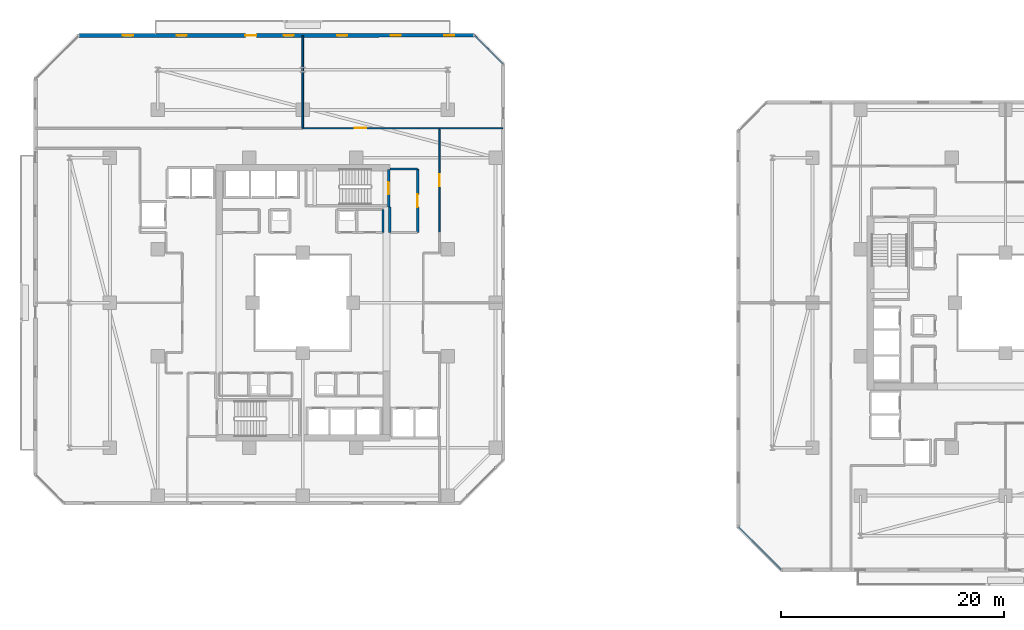
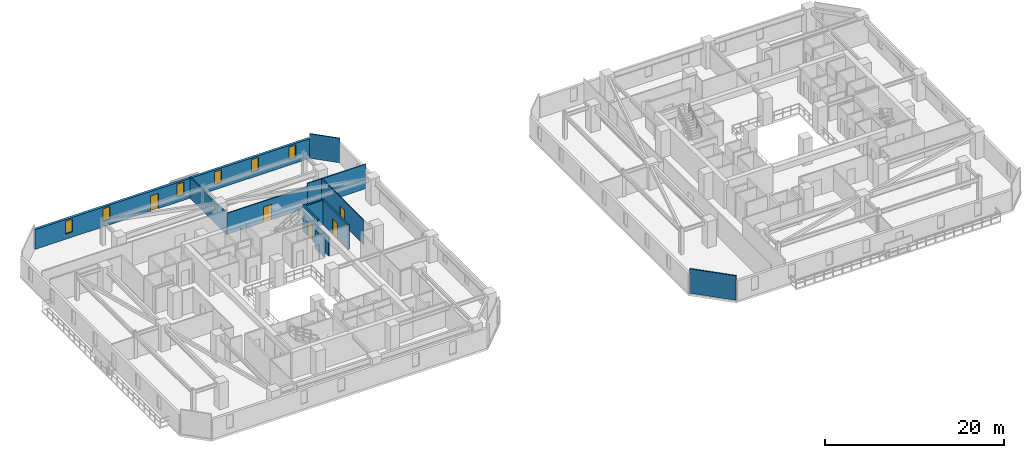
# One storey, part 22 of 33: 13 walls, 6 windows, 5 doors, 11 openings.
"""IFC4 building model written with IfcOpenShell, lengths in metres."""

from ifc_helpers import new_model, si_unit, direction, frame, frame_2d, origin, place, context, subcontext, project, spatial, rectangle, extrude, material, layer, layer_set, type_object, element, fill, save


model = new_model("IFC4")

# Units and contexts
model_context = context("Model", 3, precision=1e-05, world=origin(), true_north=direction((0.0, 1.0)))
body_context = subcontext(model_context, "Body", "Model", "MODEL_VIEW")
ifc_project = project(units=[si_unit("LENGTHUNIT", "METRE"), si_unit("AREAUNIT", "SQUARE_METRE"), si_unit("VOLUMEUNIT", "CUBIC_METRE"), si_unit("PLANEANGLEUNIT", "RADIAN"), si_unit("MASSUNIT", "GRAM", prefix="KILO")], contexts=[model_context])

# Site, building, storey
site_placement = place(None, origin())
site = spatial("IfcSite", under=ifc_project, at=site_placement, CompositionType="ELEMENT")
building_placement = place(site_placement, origin())
building = spatial("IfcBuilding", under=site, at=building_placement, Name="Thornwick Lancets Civic Towers", CompositionType="ELEMENT")
storey_placement = place(building_placement, frame((0.0, 0.0, 101.699951171875)))
storey = spatial("IfcBuildingStorey", under=building, at=storey_placement, Name="L26", CompositionType="ELEMENT", Elevation=101.699951171875)

# Wall, opening, door
ifc_material_1 = material(Name="Concrete blockwork C40/50", Category="masonry")
ifc_layer_1 = layer(ifc_material_1, 0.199951171875, Name="Concrete blockwork C40/50")
ifc_layer_set_1 = layer_set([ifc_layer_1], Name="Concrete blockwork C40/50")
wall_type_1 = type_object("IfcWallType", Name="WALL_COMP_200", PredefinedType="STANDARD", material=ifc_layer_set_1)
wall_1_placement = place(storey_placement, frame((35.800048828125, 33.300048828125, 0.0), z_axis=(0.0, 0.0, 1.0), x_axis=(0.0, 1.0, 0.0)))
wall_1 = element("IfcWall", 1, at=wall_1_placement, inside=storey, type_object=wall_type_1, Name="L26 Partition L26-A-FFLOB2 E2", PredefinedType="STANDARD", context=body_context, shape_type="SweptSolid", body=[
    extrude(rectangle(XDim=5.699951171875, YDim=0.199951171875, at=frame_2d((2.85009765625, 0.0))), origin(), (0.0, 0.0, 1.0), 3.340087890625),
])
opening_1_placement = place(wall_1_placement, frame((2.27490234375, 0.0, 0.0)))
opening_1 = element("IfcOpeningElement", 2, at=opening_1_placement, cuts=wall_1, Name="Opening D-L26-1194", PredefinedType="OPENING", context=body_context, shape_type="SweptSolid", body=[
    extrude(rectangle(XDim=1.14990234375, YDim=2.10009765625, at=frame_2d((0.574951171875, 1.050048828125))), frame((0.0, 0.10986328125, 0.0), z_axis=(0.0, -1.0, 0.0), x_axis=(1.0, 0.0, 0.0)), (0.0, 0.0, 1.0), 0.219970703125),
])
ifc_material_2 = material(Name="Glazed fire-resisting steel", Category="steel")
door_type_1 = type_object("IfcDoorType", Name="DOOR_LOBBY_FD60", OperationType="NOTDEFINED", PredefinedType="DOOR", material=ifc_material_2)
door_1_placement = place(opening_1_placement, origin())
door_1 = element("IfcDoor", 3, at=door_1_placement, inside=storey, type_object=door_type_1, Name="L26 North Firefighting Lobby 2 Door", OperationType="SINGLE_SWING_LEFT", OverallHeight=2.10009765625, OverallWidth=1.14990234375, PredefinedType="DOOR", context=body_context, shape_type="SweptSolid", body=[
    extrude(rectangle(XDim=1.14990234375, YDim=2.10009765625, at=frame_2d((0.574951171875, 1.050048828125))), frame((0.0, 0.02490234375, 0.0), z_axis=(0.0, -1.0, 0.0), x_axis=(1.0, 0.0, 0.0)), (0.0, 0.0, 1.0), 0.050048828125),
])
fill(opening_1, door_1)

# Walls
wall_2_placement = place(storey_placement, frame((35.800048828125, 39.0, 0.0), z_axis=(0.0, 0.0, 1.0), x_axis=(-1.0, 0.0, 0.0)))
element("IfcWall", 4, at=wall_2_placement, inside=storey, type_object=wall_type_1, Name="L26 Partition L26-A-FFLOB2 E3", PredefinedType="STANDARD", context=body_context, shape_type="SweptSolid", body=[
    extrude(rectangle(XDim=2.5, YDim=0.199951171875, at=frame_2d((1.25, 0.0))), origin(), (0.0, 0.0, 1.0), 3.340087890625),
])
wall_3_placement = place(storey_placement, frame((33.300048828125, 35.60009765625, 0.0), z_axis=(0.0, 0.0, 1.0), x_axis=(0.0, -1.0, 0.0)))
element("IfcWall", 5, at=wall_3_placement, inside=storey, type_object=wall_type_1, Name="L26 Partition L26-A-FFLOB2 E4", PredefinedType="STANDARD", context=body_context, shape_type="SweptSolid", body=[
    extrude(rectangle(XDim=2.300048828125, YDim=0.199951171875, at=frame_2d((1.14990234375, 0.0))), origin(), (0.0, 0.0, 1.0), 2.545166015625),
])

# Wall, openings, door, windows
ifc_material_3 = material(Name="Insulated buff terracotta rainscreen on concrete C40/50", Category="masonry")
ifc_layer_2 = layer(ifc_material_3, 0.320068359375, Name="Insulated buff terracotta rainscreen on concrete C40/50")
ifc_layer_set_2 = layer_set([ifc_layer_2], Name="Insulated buff terracotta rainscreen on concrete C40/50")
wall_type_2 = type_object("IfcWallType", Name="WALL_EXT_TERRA_320", PredefinedType="STANDARD", material=ifc_layer_set_2)
wall_4_placement = place(storey_placement, frame((40.88134765625, 50.964599609375, 0.0), z_axis=(0.0, 0.0, 1.0), x_axis=(-0.99999999315, -0.00011704845, 0.0)))
wall_4 = element("IfcWall", 6, at=wall_4_placement, inside=storey, type_object=wall_type_2, Name="L26 Tower A Terracotta Facade Wall E4", PredefinedType="STANDARD", context=body_context, shape_type="SweptSolid", body=[
    extrude(rectangle(XDim=35.458740234375, YDim=0.320068359375, at=frame_2d((17.7294921875, 0.0))), origin(), (0.0, 0.0, 1.0), 2.699951171875),
])
opening_2_placement = place(wall_4_placement, frame((19.529296875, 0.0, 0.0)))
opening_2 = element("IfcOpeningElement", 7, at=opening_2_placement, cuts=wall_4, Name="Opening D-BL-L26-AN", PredefinedType="OPENING", context=body_context, shape_type="SweptSolid", body=[
    extrude(rectangle(XDim=1.0, YDim=2.080078125, at=frame_2d((0.5, 1.0400390625))), frame((0.0, 0.169921875, 0.0), z_axis=(0.0, -1.0, 0.0), x_axis=(1.0, 0.0, 0.0)), (0.0, 0.0, 1.0), 0.340087890625),
])
opening_3_placement = place(wall_4_placement, frame((1.800048828125, 0.0, 0.719970703125)))
opening_3 = element("IfcOpeningElement", 8, at=opening_3_placement, cuts=wall_4, Name="Opening WL-01", PredefinedType="OPENING", context=body_context, shape_type="SweptSolid", body=[
    extrude(rectangle(XDim=0.89990234375, YDim=1.75, at=frame_2d((0.449951171875, 0.875))), frame((0.0, 0.169921875, 0.0), z_axis=(0.0, -1.0, 0.0), x_axis=(1.0, 0.0, 0.0)), (0.0, 0.0, 1.0), 0.340087890625),
])
opening_4_placement = place(wall_4_placement, frame((6.60009765625, 0.0, 0.719970703125)))
opening_4 = element("IfcOpeningElement", 9, at=opening_4_placement, cuts=wall_4, Name="Opening WL-01", PredefinedType="OPENING", context=body_context, shape_type="SweptSolid", body=[
    extrude(rectangle(XDim=0.89990234375, YDim=1.75, at=frame_2d((0.449951171875, 0.875))), frame((0.0, 0.169921875, 0.0), z_axis=(0.0, -1.0, 0.0), x_axis=(1.0, 0.0, 0.0)), (0.0, 0.0, 1.0), 0.340087890625),
])
opening_5_placement = place(wall_4_placement, frame((11.39990234375, 0.0, 0.719970703125)))
opening_5 = element("IfcOpeningElement", 10, at=opening_5_placement, cuts=wall_4, Name="Opening WL-01", PredefinedType="OPENING", context=body_context, shape_type="SweptSolid", body=[
    extrude(rectangle(XDim=0.89990234375, YDim=1.75, at=frame_2d((0.449951171875, 0.875))), frame((0.0, 0.169921875, 0.0), z_axis=(0.0, -1.0, 0.0), x_axis=(1.0, 0.0, 0.0)), (0.0, 0.0, 1.0), 0.340087890625),
])
opening_6_placement = place(wall_4_placement, frame((16.199951171875, 0.0, 0.719970703125)))
opening_6 = element("IfcOpeningElement", 11, at=opening_6_placement, cuts=wall_4, Name="Opening WL-01", PredefinedType="OPENING", context=body_context, shape_type="SweptSolid", body=[
    extrude(rectangle(XDim=0.89990234375, YDim=1.75, at=frame_2d((0.449951171875, 0.875))), frame((0.0, 0.169921875, 0.0), z_axis=(0.0, -1.0, 0.0), x_axis=(1.0, 0.0, 0.0)), (0.0, 0.0, 1.0), 0.340087890625),
])
opening_7_placement = place(wall_4_placement, frame((25.800048828125, 0.0, 0.719970703125)))
opening_7 = element("IfcOpeningElement", 12, at=opening_7_placement, cuts=wall_4, Name="Opening WL-01", PredefinedType="OPENING", context=body_context, shape_type="SweptSolid", body=[
    extrude(rectangle(XDim=0.89990234375, YDim=1.75, at=frame_2d((0.449951171875, 0.875))), frame((0.0, 0.169921875, 0.0), z_axis=(0.0, -1.0, 0.0), x_axis=(1.0, 0.0, 0.0)), (0.0, 0.0, 1.0), 0.340087890625),
])
opening_8_placement = place(wall_4_placement, frame((30.60009765625, 0.0, 0.719970703125)))
opening_8 = element("IfcOpeningElement", 13, at=opening_8_placement, cuts=wall_4, Name="Opening WL-01", PredefinedType="OPENING", context=body_context, shape_type="SweptSolid", body=[
    extrude(rectangle(XDim=0.89990234375, YDim=1.75, at=frame_2d((0.449951171875, 0.875))), frame((0.0, 0.169921875, 0.0), z_axis=(0.0, -1.0, 0.0), x_axis=(1.0, 0.0, 0.0)), (0.0, 0.0, 1.0), 0.340087890625),
])
ifc_material_4 = material(Name="Thermally broken glazed loggia doorset")
door_type_2 = type_object("IfcDoorType", Name="DOOR_BALC_1000", OperationType="NOTDEFINED", PredefinedType="DOOR", material=ifc_material_4)
door_2_placement = place(opening_2_placement, origin())
door_2 = element("IfcDoor", 14, at=door_2_placement, inside=storey, type_object=door_type_2, Name="L26 Tower A Loggia Balcony Door N", OperationType="SINGLE_SWING_LEFT", OverallHeight=2.080078125, OverallWidth=1.0, PredefinedType="DOOR", context=body_context, shape_type="SweptSolid", body=[
    extrude(rectangle(XDim=1.0, YDim=2.080078125, at=frame_2d((0.5, 1.0400390625))), frame((0.0, 0.02490234375, 0.0), z_axis=(0.0, -1.0, 0.0), x_axis=(1.0, 0.0, 0.0)), (0.0, 0.0, 1.0), 0.050048828125),
])
fill(opening_2, door_2)
ifc_material_5 = material(Name="Clear low-e double glazing in bronze frame", Category="glass")
window_type = type_object("IfcWindowType", Name="WIN_LANCET_900", PartitioningType="SINGLE_PANEL", PredefinedType="WINDOW", material=ifc_material_5)
window_1_placement = place(opening_3_placement, origin())
window_1 = element("IfcWindow", 15, at=window_1_placement, inside=storey, type_object=window_type, Name="L26 Tower A Staggered Lancet Window E4-1", OverallHeight=1.75, OverallWidth=0.89990234375, PartitioningType="SINGLE_PANEL", PredefinedType="WINDOW", context=body_context, shape_type="SweptSolid", body=[
    extrude(rectangle(XDim=0.89990234375, YDim=1.75, at=frame_2d((0.449951171875, 0.875))), frame((0.0, 0.030029296875, 0.0), z_axis=(0.0, -1.0, 0.0), x_axis=(1.0, 0.0, 0.0)), (0.0, 0.0, 1.0), 0.06005859375),
])
fill(opening_3, window_1)
window_2_placement = place(opening_4_placement, origin())
window_2 = element("IfcWindow", 16, at=window_2_placement, inside=storey, type_object=window_type, Name="L26 Tower A Staggered Lancet Window E4-2", OverallHeight=1.75, OverallWidth=0.89990234375, PartitioningType="SINGLE_PANEL", PredefinedType="WINDOW", context=body_context, shape_type="SweptSolid", body=[
    extrude(rectangle(XDim=0.89990234375, YDim=1.75, at=frame_2d((0.449951171875, 0.875))), frame((0.0, 0.030029296875, 0.0), z_axis=(0.0, -1.0, 0.0), x_axis=(1.0, 0.0, 0.0)), (0.0, 0.0, 1.0), 0.06005859375),
])
fill(opening_4, window_2)
window_3_placement = place(opening_5_placement, origin())
window_3 = element("IfcWindow", 17, at=window_3_placement, inside=storey, type_object=window_type, Name="L26 Tower A Staggered Lancet Window E4-3", OverallHeight=1.75, OverallWidth=0.89990234375, PartitioningType="SINGLE_PANEL", PredefinedType="WINDOW", context=body_context, shape_type="SweptSolid", body=[
    extrude(rectangle(XDim=0.89990234375, YDim=1.75, at=frame_2d((0.449951171875, 0.875))), frame((0.0, 0.030029296875, 0.0), z_axis=(0.0, -1.0, 0.0), x_axis=(1.0, 0.0, 0.0)), (0.0, 0.0, 1.0), 0.06005859375),
])
fill(opening_5, window_3)
window_4_placement = place(opening_6_placement, origin())
window_4 = element("IfcWindow", 18, at=window_4_placement, inside=storey, type_object=window_type, Name="L26 Tower A Staggered Lancet Window E4-4", OverallHeight=1.75, OverallWidth=0.89990234375, PartitioningType="SINGLE_PANEL", PredefinedType="WINDOW", context=body_context, shape_type="SweptSolid", body=[
    extrude(rectangle(XDim=0.89990234375, YDim=1.75, at=frame_2d((0.449951171875, 0.875))), frame((0.0, 0.030029296875, 0.0), z_axis=(0.0, -1.0, 0.0), x_axis=(1.0, 0.0, 0.0)), (0.0, 0.0, 1.0), 0.06005859375),
])
fill(opening_6, window_4)
window_5_placement = place(opening_7_placement, origin())
window_5 = element("IfcWindow", 19, at=window_5_placement, inside=storey, type_object=window_type, Name="L26 Tower A Staggered Lancet Window E4-5", OverallHeight=1.75, OverallWidth=0.89990234375, PartitioningType="SINGLE_PANEL", PredefinedType="WINDOW", context=body_context, shape_type="SweptSolid", body=[
    extrude(rectangle(XDim=0.89990234375, YDim=1.75, at=frame_2d((0.449951171875, 0.875))), frame((0.0, 0.030029296875, 0.0), z_axis=(0.0, -1.0, 0.0), x_axis=(1.0, 0.0, 0.0)), (0.0, 0.0, 1.0), 0.06005859375),
])
fill(opening_7, window_5)
window_6_placement = place(opening_8_placement, origin())
window_6 = element("IfcWindow", 20, at=window_6_placement, inside=storey, type_object=window_type, Name="L26 Tower A Staggered Lancet Window E4-6", OverallHeight=1.75, OverallWidth=0.89990234375, PartitioningType="SINGLE_PANEL", PredefinedType="WINDOW", context=body_context, shape_type="SweptSolid", body=[
    extrude(rectangle(XDim=0.89990234375, YDim=1.75, at=frame_2d((0.449951171875, 0.875))), frame((0.0, 0.030029296875, 0.0), z_axis=(0.0, -1.0, 0.0), x_axis=(1.0, 0.0, 0.0)), (0.0, 0.0, 1.0), 0.06005859375),
])
fill(opening_8, window_6)

# Wall, opening, door
ifc_material_6 = material(Name="Acoustic gypsum board partition")
ifc_layer_3 = layer(ifc_material_6, 0.1201171875, Name="Acoustic gypsum board partition")
ifc_layer_set_3 = layer_set([ifc_layer_3], Name="Acoustic gypsum board partition")
wall_type_3 = type_object("IfcWallType", Name="WALL_PART_120", PredefinedType="PARTITIONING", material=ifc_layer_set_3)
wall_5_placement = place(storey_placement, frame((37.75, 33.300048828125, 0.0), z_axis=(0.0, 0.0, 1.0), x_axis=(0.0, 1.0, 0.0)))
wall_5 = element("IfcWall", 21, at=wall_5_placement, inside=storey, type_object=wall_type_3, Name="L26 Partition L26-A-E2 E3", PredefinedType="PARTITIONING", context=body_context, shape_type="SweptSolid", body=[
    extrude(rectangle(XDim=9.349853515625, YDim=0.1201171875, at=frame_2d((4.6748046875, 0.0))), origin(), (0.0, 0.0, 1.0), 3.340087890625),
])
opening_9_placement = place(wall_5_placement, frame((4.14990234375, 0.0, 0.0)))
opening_9 = element("IfcOpeningElement", 22, at=opening_9_placement, cuts=wall_5, Name="Opening D-L26-1220", PredefinedType="OPENING", context=body_context, shape_type="SweptSolid", body=[
    extrude(rectangle(XDim=1.050048828125, YDim=2.10009765625, at=frame_2d((0.52490234375, 1.050048828125))), frame((0.0, 0.070068359375, 0.0), z_axis=(0.0, -1.0, 0.0), x_axis=(1.0, 0.0, 0.0)), (0.0, 0.0, 1.0), 0.14013671875),
])
ifc_material_7 = material(Name="Glazed European oak executive doorset")
door_type_3 = type_object("IfcDoorType", Name="DOOR_OFFICE_1050", OperationType="NOTDEFINED", PredefinedType="DOOR", material=ifc_material_7)
door_3_placement = place(opening_9_placement, origin())
door_3 = element("IfcDoor", 23, at=door_3_placement, inside=storey, type_object=door_type_3, Name="L26 Tower A Visitors Reception and Waiting Door", OperationType="SINGLE_SWING_LEFT", OverallHeight=2.10009765625, OverallWidth=1.050048828125, PredefinedType="DOOR", context=body_context, shape_type="SweptSolid", body=[
    extrude(rectangle(XDim=1.050048828125, YDim=2.10009765625, at=frame_2d((0.52490234375, 1.050048828125))), frame((0.0, 0.02490234375, 0.0), z_axis=(0.0, -1.0, 0.0), x_axis=(1.0, 0.0, 0.0)), (0.0, 0.0, 1.0), 0.050048828125),
])
fill(opening_9, door_3)

# Walls
wall_6_placement = place(storey_placement, frame((37.75, 42.64990234375, 0.0), z_axis=(0.0, 0.0, 1.0), x_axis=(1.0, 0.0, 0.0)))
element("IfcWall", 24, at=wall_6_placement, inside=storey, type_object=wall_type_3, Name="L26 Partition L26-A-E2 E4", PredefinedType="PARTITIONING", context=body_context, shape_type="SweptSolid", body=[
    extrude(rectangle(XDim=5.669921875, YDim=0.1201171875, at=frame_2d((2.8349609375, 0.0))), origin(), (0.0, 0.0, 1.0), 3.340087890625),
])
wall_7_placement = place(storey_placement, frame((37.75, 42.64990234375, 0.0), z_axis=(0.0, 0.0, 1.0), x_axis=(-1.0, 0.0, 0.0)))
element("IfcWall", 25, at=wall_7_placement, inside=storey, type_object=wall_type_3, Name="L26 Partition L26-A-N-OFF E1", PredefinedType="PARTITIONING", context=body_context, shape_type="SweptSolid", body=[
    extrude(rectangle(XDim=1.89990234375, YDim=0.1201171875, at=frame_2d((0.949951171875, 0.0))), origin(), (0.0, 0.0, 1.0), 3.340087890625),
])

# Wall, opening, door
wall_8_placement = place(storey_placement, frame((35.85009765625, 42.64990234375, 0.0), z_axis=(0.0, 0.0, 1.0), x_axis=(-1.0, 0.0, 0.0)))
wall_8 = element("IfcWall", 26, at=wall_8_placement, inside=storey, type_object=wall_type_3, Name="L26 Partition L26-A-N-OFF E2", PredefinedType="PARTITIONING", context=body_context, shape_type="SweptSolid", body=[
    extrude(rectangle(XDim=10.35009765625, YDim=0.1201171875, at=frame_2d((5.175048828125, 0.0))), origin(), (0.0, 0.0, 1.0), 2.89501953125),
])
opening_10_placement = place(wall_8_placement, frame((4.64990234375, 0.0, 0.0)))
opening_10 = element("IfcOpeningElement", 27, at=opening_10_placement, cuts=wall_8, Name="Opening D-L26-1222", PredefinedType="OPENING", context=body_context, shape_type="SweptSolid", body=[
    extrude(rectangle(XDim=1.050048828125, YDim=2.10009765625, at=frame_2d((0.52490234375, 1.050048828125))), frame((0.0, 0.070068359375, 0.0), z_axis=(0.0, -1.0, 0.0), x_axis=(1.0, 0.0, 0.0)), (0.0, 0.0, 1.0), 0.14013671875),
])
door_4_placement = place(opening_10_placement, origin())
door_4 = element("IfcDoor", 28, at=door_4_placement, inside=storey, type_object=door_type_3, Name="L26 Tower A North Policy Office Door", OperationType="SINGLE_SWING_LEFT", OverallHeight=2.10009765625, OverallWidth=1.050048828125, PredefinedType="DOOR", context=body_context, shape_type="SweptSolid", body=[
    extrude(rectangle(XDim=1.050048828125, YDim=2.10009765625, at=frame_2d((0.52490234375, 1.050048828125))), frame((0.0, 0.02490234375, 0.0), z_axis=(0.0, -1.0, 0.0), x_axis=(1.0, 0.0, 0.0)), (0.0, 0.0, 1.0), 0.050048828125),
])
fill(opening_10, door_4)

# Walls
wall_9_placement = place(storey_placement, frame((40.92529296875, 50.919921875, 0.0), z_axis=(0.0, 0.0, 1.0), x_axis=(0.707106781187, -0.707106781187, 0.0)))
element("IfcWall", 29, at=wall_9_placement, inside=storey, type_object=wall_type_3, Name="L26 Partition L26-A-N-OFF E5", PredefinedType="PARTITIONING", context=body_context, shape_type="SweptSolid", body=[
    extrude(rectangle(XDim=3.52783203125, YDim=0.1201171875, at=frame_2d((1.763916015625, 0.0))), origin(), (0.0, 0.0, 1.0), 3.340087890625),
])
ifc_material_8 = material(Name="Twin-stud acoustic gypsum board")
ifc_layer_4 = layer(ifc_material_8, 0.14990234375, Name="Twin-stud acoustic gypsum board")
ifc_layer_set_4 = layer_set([ifc_layer_4], Name="Twin-stud acoustic gypsum board")
wall_type_4 = type_object("IfcWallType", Name="WALL_PART_150", PredefinedType="PARTITIONING", material=ifc_layer_set_4)
wall_10_placement = place(storey_placement, frame((32.699951171875, 35.35009765625, 0.0), z_axis=(0.0, 0.0, 1.0), x_axis=(0.0, -1.0, 0.0)))
element("IfcWall", 30, at=wall_10_placement, inside=storey, type_object=wall_type_4, Name="L26 Partition L26-A-FWC E1", PredefinedType="PARTITIONING", context=body_context, shape_type="SweptSolid", body=[
    extrude(rectangle(XDim=2.050048828125, YDim=0.14990234375, at=frame_2d((1.02490234375, 0.0))), origin(), (0.0, 0.0, 1.0), 2.545166015625),
])
wall_11_placement = place(storey_placement, frame((25.5, 50.919921875, 0.0), z_axis=(0.0, 0.0, 1.0), x_axis=(0.0, -1.0, 0.0)))
element("IfcWall", 31, at=wall_11_placement, inside=storey, type_object=wall_type_4, Name="L26 Partition L26-A-N-CONF E5", PredefinedType="PARTITIONING", context=body_context, shape_type="SweptSolid", body=[
    extrude(rectangle(XDim=8.27001953125, YDim=0.14990234375, at=frame_2d((4.135009765625, 0.0))), origin(), (0.0, 0.0, 1.0), 2.8779296875),
])
wall_12_placement = place(storey_placement, frame((68.383544921875, 3.080078125, 0.0), z_axis=(0.0, 0.0, 1.0), x_axis=(-0.707106781187, 0.707106781187, 0.0)))
element("IfcWall", 32, at=wall_12_placement, inside=storey, type_object=wall_type_4, Name="L26 Partition L26-B-N-CONF E3", PredefinedType="PARTITIONING", context=body_context, shape_type="SweptSolid", body=[
    extrude(rectangle(XDim=5.37890625, YDim=0.14990234375, at=frame_2d((2.689453125, 0.0))), origin(), (0.0, 0.0, 1.0), 3.340087890625),
])

# Wall, opening, door
ifc_material_9 = material(Name="Concrete C40/50", Category="concrete")
ifc_layer_5 = layer(ifc_material_9, 0.199951171875, Name="Concrete C40/50")
ifc_layer_set_5 = layer_set([ifc_layer_5], Name="Concrete C40/50")
wall_type_5 = type_object("IfcWallType", Name="WALL_SHAFT_200", PredefinedType="SHEAR", material=ifc_layer_set_5)
wall_13_placement = place(storey_placement, frame((33.199951171875, 38.949951171875, 0.0), z_axis=(0.0, 0.0, 1.0), x_axis=(0.0, -1.0, 0.0)))
wall_13 = element("IfcWall", 33, at=wall_13_placement, inside=storey, type_object=wall_type_5, Name="L26 ST-A2 Fire Stair Core Wall NEAR", PredefinedType="SHEAR", context=body_context, shape_type="SweptSolid", body=[
    extrude(rectangle(XDim=3.349853515625, YDim=0.199951171875, at=frame_2d((1.6748046875, 0.0))), origin(), (0.0, 0.0, 1.0), 3.60009765625),
])
opening_11_placement = place(wall_13_placement, frame((1.125, 0.0, 0.0)))
opening_11 = element("IfcOpeningElement", 34, at=opening_11_placement, cuts=wall_13, Name="Opening D-ST-A2-L26", PredefinedType="OPENING", context=body_context, shape_type="SweptSolid", body=[
    extrude(rectangle(XDim=1.10009765625, YDim=2.10009765625, at=frame_2d((0.550048828125, 1.050048828125))), frame((0.0, 0.10986328125, 0.0), z_axis=(0.0, -1.0, 0.0), x_axis=(1.0, 0.0, 0.0)), (0.0, 0.0, 1.0), 0.219970703125),
])
ifc_material_10 = material(Name="Fire-resisting steel and hardwood", Category="steel")
door_type_4 = type_object("IfcDoorType", Name="DOOR_STAIR_FD60", OperationType="NOTDEFINED", PredefinedType="DOOR", material=ifc_material_10)
door_5_placement = place(opening_11_placement, origin())
door_5 = element("IfcDoor", 35, at=door_5_placement, inside=storey, type_object=door_type_4, Name="L26 ST-A2 Exit Stair Door", OperationType="SINGLE_SWING_LEFT", OverallHeight=2.10009765625, OverallWidth=1.10009765625, PredefinedType="DOOR", context=body_context, shape_type="SweptSolid", body=[
    extrude(rectangle(XDim=1.10009765625, YDim=2.10009765625, at=frame_2d((0.550048828125, 1.050048828125))), frame((0.0, 0.02490234375, 0.0), z_axis=(0.0, -1.0, 0.0), x_axis=(1.0, 0.0, 0.0)), (0.0, 0.0, 1.0), 0.050048828125),
])
fill(opening_11, door_5)

save(model, "model.ifc")
